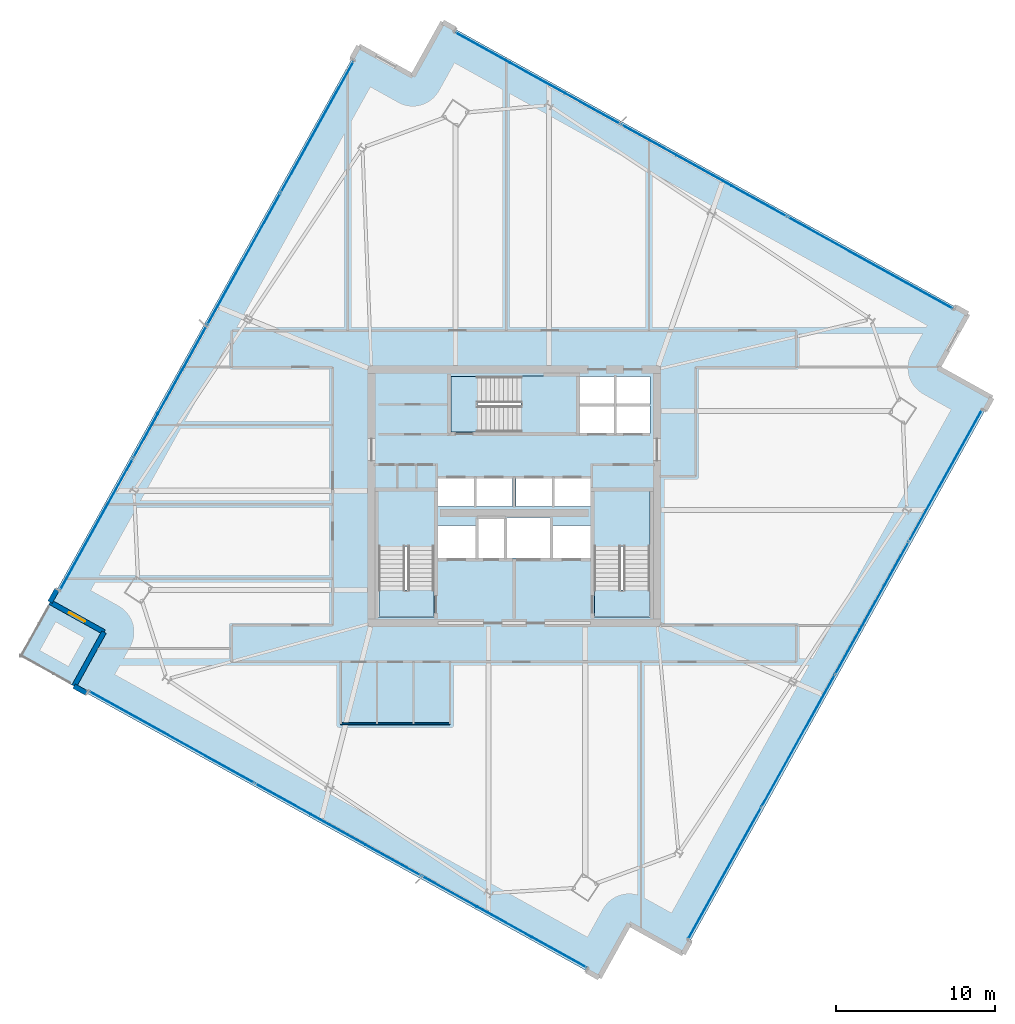
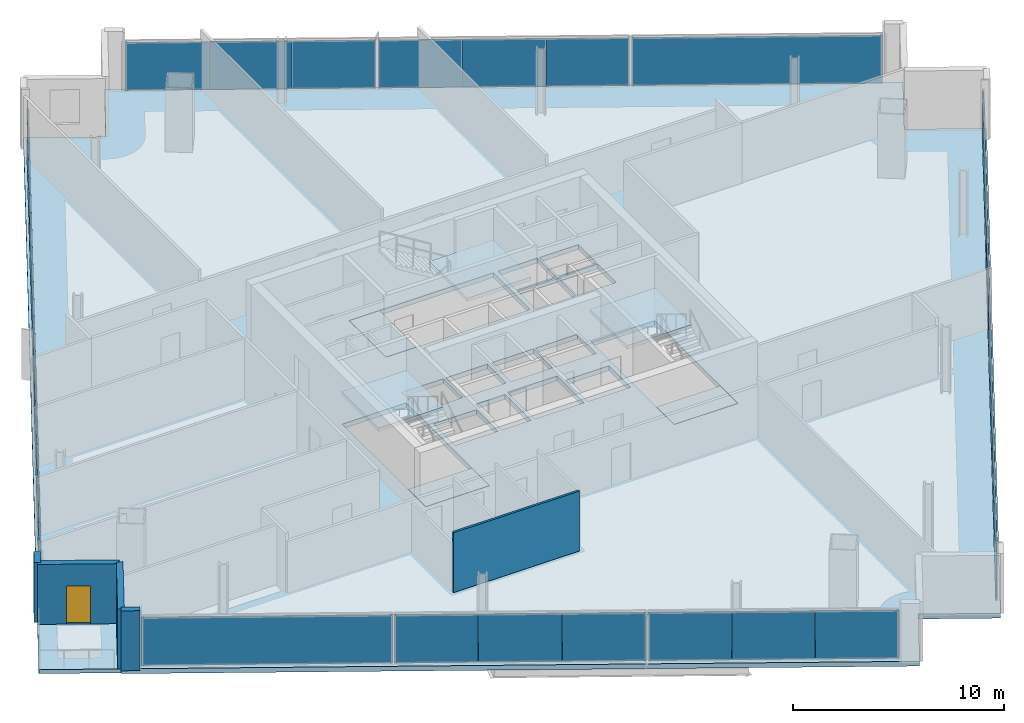
# One storey, part 19 of 28: 26 plates, 8 slabs, 5 walls, 1 door, 1 opening, 7 elements without a shape of their own.
"""IFC4 building model written with IfcOpenShell, lengths in metres."""

from ifc_helpers import new_model, si_unit, direction, frame, frame_2d, origin, origin_2d, place, context, subcontext, project, spatial, polyline, rectangle, outline, extrude, source, transform, mapped, material, layer, layer_set, type_object, element, fill, aggregate, save


model = new_model("IFC4")

# Units and contexts
model_context = context("Model", 3, precision=1e-05, world=origin(), true_north=direction((0.0, 1.0)))
body_context = subcontext(model_context, "Body", "Model", "MODEL_VIEW")
ifc_project = project(units=[si_unit("LENGTHUNIT", "METRE"), si_unit("AREAUNIT", "SQUARE_METRE"), si_unit("VOLUMEUNIT", "CUBIC_METRE"), si_unit("PLANEANGLEUNIT", "RADIAN"), si_unit("MASSUNIT", "GRAM", prefix="KILO")], contexts=[model_context])

# Site, building, storey
site_placement = place(None, origin())
site = spatial("IfcSite", under=ifc_project, at=site_placement, CompositionType="ELEMENT")
building_placement = place(site_placement, origin())
building = spatial("IfcBuilding", under=site, at=building_placement, Name="Haldenkirk Collegiate Tower", CompositionType="ELEMENT")
storey_placement = place(building_placement, frame((0.0, 0.0, 232.199951171875)))
storey = spatial("IfcBuildingStorey", under=building, at=storey_placement, Name="L58", CompositionType="ELEMENT", Elevation=232.199951171875)

# Slab
ifc_material_1 = material(Name="Concrete f'c 40 MPa", Category="concrete")
ifc_layer_1 = layer(ifc_material_1, 0.280029296875)
ifc_layer_set_1 = layer_set([ifc_layer_1], Name="Concrete f'c 40 MPa")
slab_type_1 = type_object("IfcSlabType", Name="SLB-FLR-280", PredefinedType="FLOOR", material=ifc_layer_set_1)
slab_1_placement = place(storey_placement, frame((0.0, 0.0, -0.280029296875)))
element("IfcSlab", 1, at=slab_1_placement, inside=storey, type_object=slab_type_1, Name="L58 composite structural floor slab", PredefinedType="FLOOR", context=body_context, shape_type="SweptSolid", body=[
    extrude(outline(polyline([(46.65478515625, -2.853515625), (66.12646484375, 32.20166015625), (62.717041015625, 34.095458984375), (64.610595703125, 37.5048828125), (31.50048828125, 55.895751953125), (29.606689453125, 52.486572265625), (26.197509765625, 54.380126953125), (6.72607421875, 19.324951171875), (10.13525390625, 17.43115234375), (8.24169921875, 14.021728515625), (41.351806640625, -4.369384765625), (43.24560546875, -0.9599609375), (46.65478515625, -2.853515625)]), holes=[polyline([(27.449951171875, 18.39990234375), (30.949951171875, 18.39990234375), (30.949951171875, 26.300048828125), (27.449951171875, 26.300048828125), (27.449951171875, 18.39990234375)]), polyline([(41.050048828125, 18.39990234375), (44.550048828125, 18.39990234375), (44.550048828125, 26.300048828125), (41.050048828125, 26.300048828125), (41.050048828125, 18.39990234375)]), polyline([(32.0, 30.050048828125), (39.89990234375, 30.050048828125), (39.89990234375, 33.550048828125), (32.0, 33.550048828125), (32.0, 30.050048828125)]), polyline([(33.75, 22.10009765625), (35.35009765625, 22.10009765625), (35.35009765625, 24.550048828125), (33.75, 24.550048828125), (33.75, 22.10009765625)]), polyline([(40.14990234375, 29.949951171875), (42.320068359375, 29.949951171875), (42.320068359375, 31.699951171875), (40.14990234375, 31.699951171875), (40.14990234375, 29.949951171875)]), polyline([(42.419921875, 29.949951171875), (44.550048828125, 29.949951171875), (44.550048828125, 31.699951171875), (42.419921875, 31.699951171875), (42.419921875, 29.949951171875)]), polyline([(40.14990234375, 31.800048828125), (42.320068359375, 31.800048828125), (42.320068359375, 33.550048828125), (40.14990234375, 33.550048828125), (40.14990234375, 31.800048828125)]), polyline([(42.419921875, 31.800048828125), (44.550048828125, 31.800048828125), (44.550048828125, 33.550048828125), (42.419921875, 33.550048828125), (42.419921875, 31.800048828125)]), polyline([(31.199951171875, 25.35009765625), (33.47998046875, 25.35009765625), (33.47998046875, 27.14990234375), (31.199951171875, 27.14990234375), (31.199951171875, 25.35009765625)]), polyline([(33.60009765625, 25.35009765625), (35.8798828125, 25.35009765625), (35.8798828125, 27.14990234375), (33.60009765625, 27.14990234375), (33.60009765625, 25.35009765625)]), polyline([(36.1201171875, 25.35009765625), (38.39990234375, 25.35009765625), (38.39990234375, 27.14990234375), (36.1201171875, 27.14990234375), (36.1201171875, 25.35009765625)]), polyline([(38.52001953125, 25.35009765625), (40.800048828125, 25.35009765625), (40.800048828125, 27.14990234375), (38.52001953125, 27.14990234375), (38.52001953125, 25.35009765625)]), polyline([(31.199951171875, 22.10009765625), (33.550048828125, 22.10009765625), (33.550048828125, 24.14990234375), (31.199951171875, 24.14990234375), (31.199951171875, 22.10009765625)]), polyline([(38.449951171875, 22.10009765625), (40.800048828125, 22.10009765625), (40.800048828125, 24.14990234375), (38.449951171875, 24.14990234375), (38.449951171875, 22.10009765625)]), polyline([(35.550048828125, 22.10009765625), (38.25, 22.10009765625), (38.25, 24.64990234375), (35.550048828125, 24.64990234375), (35.550048828125, 22.10009765625)])]), origin(), (0.0, 0.0, 1.0), 0.280029296875),
])

# Stair, slab
stair_type = type_object("IfcStairType", Name="STR-DOGLEG-1650", PredefinedType="HALF_TURN_STAIR", material=ifc_material_1)
stair_1_placement = place(storey_placement, origin())
stair_1 = element("IfcStair", 2, at=stair_1_placement, inside=storey, type_object=stair_type, Name="L58 Core Exit Stair ST-1", PredefinedType="HALF_TURN_STAIR")
ifc_layer_2 = layer(ifc_material_1, 0.199951171875)
ifc_layer_set_2 = layer_set([ifc_layer_2], Name="Concrete f'c 40 MPa")
slab_type_2 = type_object("IfcSlabType", Name="SLB-LANDING-200", PredefinedType="LANDING", material=ifc_layer_set_2)
slab_2_placement = place(storey_placement, frame((0.0, 0.0, 1.675048828125)))
slab_2 = element("IfcSlab", 3, at=slab_2_placement, type_object=slab_type_2, Name="ST-1 landing 1", PredefinedType="LANDING", context=body_context, shape_type="SweptSolid", body=[
    extrude(outline(polyline([(30.97509765625, 22.824951171875), (27.425048828125, 22.824951171875), (27.425048828125, 26.324951171875), (30.97509765625, 26.324951171875), (30.97509765625, 22.824951171875)])), origin(), (0.0, 0.0, 1.0), 0.199951171875),
])
aggregate(stair_1, [slab_2])

stair_2_placement = place(storey_placement, origin())
stair_2 = element("IfcStair", 4, at=stair_2_placement, inside=storey, type_object=stair_type, Name="L58 Core Exit Stair ST-2", PredefinedType="HALF_TURN_STAIR")
slab_3_placement = place(storey_placement, frame((0.0, 0.0, 1.675048828125)))
slab_3 = element("IfcSlab", 5, at=slab_3_placement, type_object=slab_type_2, Name="ST-2 landing 1", PredefinedType="LANDING", context=body_context, shape_type="SweptSolid", body=[
    extrude(outline(polyline([(44.574951171875, 22.824951171875), (41.02490234375, 22.824951171875), (41.02490234375, 26.324951171875), (44.574951171875, 26.324951171875), (44.574951171875, 22.824951171875)])), origin(), (0.0, 0.0, 1.0), 0.199951171875),
])
aggregate(stair_2, [slab_3])

stair_3_placement = place(storey_placement, origin())
stair_3 = element("IfcStair", 6, at=stair_3_placement, inside=storey, type_object=stair_type, Name="L58 Core Exit Stair ST-3", PredefinedType="HALF_TURN_STAIR")
slab_4_placement = place(storey_placement, frame((0.0, 0.0, 1.675048828125)))
slab_4 = element("IfcSlab", 7, at=slab_4_placement, type_object=slab_type_2, Name="ST-3 landing 1", PredefinedType="LANDING", context=body_context, shape_type="SweptSolid", body=[
    extrude(outline(polyline([(36.425048828125, 30.02490234375), (36.425048828125, 33.574951171875), (39.925048828125, 33.574951171875), (39.925048828125, 30.02490234375), (36.425048828125, 30.02490234375)])), origin(), (0.0, 0.0, 1.0), 0.199951171875),
])
aggregate(stair_3, [slab_4])

# Slabs
ifc_layer_3 = layer(ifc_material_1, 0.25)
ifc_layer_set_3 = layer_set([ifc_layer_3], Name="Concrete f'c 40 MPa")
slab_type_3 = type_object("IfcSlabType", Name="SLB-STAIRLAND-250", PredefinedType="LANDING", material=ifc_layer_set_3)
slab_5_placement = place(storey_placement, frame((0.0, 0.0, -0.25)))
element("IfcSlab", 8, at=slab_5_placement, inside=storey, type_object=slab_type_3, Name="L58 stair ST1 structural floor landing slab", PredefinedType="LANDING", context=body_context, shape_type="SweptSolid", body=[
    extrude(outline(polyline([(27.4599609375, 18.409912109375), (30.93994140625, 18.409912109375), (30.93994140625, 20.080078125), (27.4599609375, 20.080078125), (27.4599609375, 18.409912109375)])), origin(), (0.0, 0.0, 1.0), 0.25),
])
slab_6_placement = place(storey_placement, frame((0.0, 0.0, -0.25)))
element("IfcSlab", 9, at=slab_6_placement, inside=storey, type_object=slab_type_3, Name="L58 stair ST2 structural floor landing slab", PredefinedType="LANDING", context=body_context, shape_type="SweptSolid", body=[
    extrude(outline(polyline([(41.06005859375, 18.409912109375), (44.5400390625, 18.409912109375), (44.5400390625, 20.080078125), (41.06005859375, 20.080078125), (41.06005859375, 18.409912109375)])), origin(), (0.0, 0.0, 1.0), 0.25),
])
slab_7_placement = place(storey_placement, frame((0.0, 0.0, -0.25)))
element("IfcSlab", 10, at=slab_7_placement, inside=storey, type_object=slab_type_3, Name="L58 stair ST3 structural floor landing slab", PredefinedType="LANDING", context=body_context, shape_type="SweptSolid", body=[
    extrude(outline(polyline([(32.010009765625, 30.06005859375), (33.679931640625, 30.06005859375), (33.679931640625, 33.5400390625), (32.010009765625, 33.5400390625), (32.010009765625, 30.06005859375)])), origin(), (0.0, 0.0, 1.0), 0.25),
])
ifc_layer_4 = layer(ifc_material_1, 0.22998046875)
ifc_layer_set_4 = layer_set([ifc_layer_4], Name="Concrete f'c 40 MPa")
slab_type_4 = type_object("IfcSlabType", Name="SLB-TERR-SPIRAL-230", PredefinedType="FLOOR", material=ifc_layer_set_4)
slab_8_placement = place(storey_placement, frame((0.0, 0.0, -0.22998046875)))
element("IfcSlab", 11, at=slab_8_placement, inside=storey, type_object=slab_type_4, Name="L58 spiralling corner terrace slab", PredefinedType="FLOOR", context=body_context, shape_type="SweptSolid", body=[
    extrude(outline(polyline([(8.24169921875, 14.021728515625), (10.13525390625, 17.43115234375), (6.72607421875, 19.324951171875), (4.832275390625, 15.91552734375), (8.24169921875, 14.021728515625)])), origin(), (0.0, 0.0, 1.0), 0.22998046875),
])

# Curtain wall, plates
ifc_material_2 = material(Name="Anodised architectural bronze aluminium", Category="aluminium")
curtain_wall_type_1 = type_object("IfcCurtainWallType", Name="CW-SYS2-CONCAVE", PredefinedType="USERDEFINED", material=ifc_material_2)
curtain_wall_1_placement = place(storey_placement, origin())
curtain_wall_1 = element("IfcCurtainWall", 12, at=curtain_wall_1_placement, inside=storey, type_object=curtain_wall_type_1, Name="L58 South concave recessed bronze-anodised curtain wall", ObjectType="UNITISED CURTAIN WALL", PredefinedType="USERDEFINED")
ifc_material_3 = material(Name="Bronze-anodised insulated aluminium spandrel panel", Category="aluminium")
ifc_layer_5 = layer(ifc_material_3, 0.0419921875)
ifc_layer_set_5 = layer_set([ifc_layer_5], Name="Bronze-anodised insulated aluminium spandrel panel")
plate_type_1 = type_object("IfcPlateType", Name="CW-SPD-02", PredefinedType="CURTAIN_PANEL", material=ifc_layer_set_5)
shared_shape_1 = source(origin(), body_context, "Body", "SweptSolid", [
    extrude(rectangle(XDim=3.1416015625, YDim=0.0419921875, at=origin_2d()), origin(), (0.0, 0.0, 1.0), 2.778076171875),
])
plate_1_placement = place(storey_placement, frame((58.557861328125, 18.94677734375, 0.0751953125), z_axis=(0.0, 0.0, 1.0), x_axis=(-0.485574207111, -0.874195452624, 0.0)))
plate_1 = element("IfcPlate", 13, at=plate_1_placement, type_object=plate_type_1, Name="CW-02 spandrel panel 2.1b", PredefinedType="CURTAIN_PANEL", context=body_context, shape_type="MappedRepresentation", body=[
    mapped(shared_shape_1, transform((0.0, 0.0, 0.0), x_axis=(1.0, 0.0, 0.0), y_axis=(0.0, 1.0, 0.0), z_axis=(0.0, 0.0, 1.0), scale=1.0)),
])
shared_shape_2 = source(origin(), body_context, "Body", "SweptSolid", [
    extrude(rectangle(XDim=3.154296875, YDim=0.0419921875, at=origin_2d()), origin(), (0.0, 0.0, 1.0), 2.778076171875),
])
plate_2_placement = place(storey_placement, frame((60.0986328125, 21.720458984375, 0.0751953125), z_axis=(0.0, 0.0, 1.0), x_axis=(-0.485574207111, -0.874195452624, 0.0)))
plate_2 = element("IfcPlate", 14, at=plate_2_placement, type_object=plate_type_1, Name="CW-02 spandrel panel 2.1a", PredefinedType="CURTAIN_PANEL", context=body_context, shape_type="MappedRepresentation", body=[
    mapped(shared_shape_2, transform((0.0, 0.0, 0.0), x_axis=(1.0, 0.0, 0.0), y_axis=(0.0, 1.0, 0.0), z_axis=(0.0, 0.0, 1.0), scale=1.0)),
])
plate_3_placement = place(storey_placement, frame((57.017333984375, 16.1728515625, 0.0751953125), z_axis=(0.0, 0.0, 1.0), x_axis=(-0.485574207111, -0.874195452624, 0.0)))
plate_3 = element("IfcPlate", 15, at=plate_3_placement, type_object=plate_type_1, Name="CW-02 spandrel panel 2.1c", PredefinedType="CURTAIN_PANEL", context=body_context, shape_type="MappedRepresentation", body=[
    mapped(shared_shape_2, transform((0.0, 0.0, 0.0), x_axis=(1.0, 0.0, 0.0), y_axis=(0.0, 1.0, 0.0), z_axis=(0.0, 0.0, 1.0), scale=1.0)),
])
ifc_material_4 = material(Name="Low-E argon triple insulating glass", Category="glass")
ifc_layer_6 = layer(ifc_material_4, 0.0419921875)
ifc_layer_set_6 = layer_set([ifc_layer_6], Name="Low-E argon triple insulating glass")
plate_type_2 = type_object("IfcPlateType", Name="CW-PNL-02", PredefinedType="CURTAIN_PANEL", material=ifc_layer_set_6)
shared_shape_3 = source(origin(), body_context, "Body", "SweptSolid", [
    extrude(rectangle(XDim=9.46240234375, YDim=0.0419921875, at=origin_2d()), origin(), (0.0, 0.0, 1.0), 2.778076171875),
])
plate_4_placement = place(storey_placement, frame((63.1982421875, 27.30078125, 0.0751953125), z_axis=(0.0, 0.0, 1.0), x_axis=(-0.485574207111, -0.874195452624, 0.0)))
plate_4 = element("IfcPlate", 16, at=plate_4_placement, type_object=plate_type_2, Name="CW-02 panel 1.1", PredefinedType="CURTAIN_PANEL", context=body_context, shape_type="MappedRepresentation", body=[
    mapped(shared_shape_3, transform((0.0, 0.0, 0.0), x_axis=(1.0, 0.0, 0.0), y_axis=(0.0, 1.0, 0.0), z_axis=(0.0, 0.0, 1.0), scale=1.0)),
])
plate_5_placement = place(storey_placement, frame((49.268310546875, 2.22216796875, 0.0751953125), z_axis=(0.0, 0.0, 1.0), x_axis=(-0.485574207111, -0.874195452624, 0.0)))
plate_5 = element("IfcPlate", 17, at=plate_5_placement, type_object=plate_type_2, Name="CW-02 panel 4.1", PredefinedType="CURTAIN_PANEL", context=body_context, shape_type="MappedRepresentation", body=[
    mapped(shared_shape_3, transform((0.0, 0.0, 0.0), x_axis=(1.0, 0.0, 0.0), y_axis=(0.0, 1.0, 0.0), z_axis=(0.0, 0.0, 1.0), scale=1.0)),
])

curtain_wall_type_2 = type_object("IfcCurtainWallType", Name="CW-SYS1B-CONVEX-HI", PredefinedType="USERDEFINED", material=ifc_material_2)
curtain_wall_2_placement = place(storey_placement, origin())
curtain_wall_2 = element("IfcCurtainWall", 18, at=curtain_wall_2_placement, inside=storey, type_object=curtain_wall_type_2, Name="L58 Upper tower high-wind convex bronze unitised curtain wall", ObjectType="UNITISED CURTAIN WALL", PredefinedType="USERDEFINED")
ifc_layer_7 = layer(ifc_material_4, 0.048095703125)
ifc_layer_set_7 = layer_set([ifc_layer_7], Name="Low-E argon triple insulating glass")
plate_type_3 = type_object("IfcPlateType", Name="CW-PNL-1B", PredefinedType="CURTAIN_PANEL", material=ifc_layer_set_7)
shared_shape_4 = source(origin(), body_context, "Body", "SweptSolid", [
    extrude(rectangle(XDim=3.953369140625, YDim=0.048095703125, at=origin_2d()), origin(), (0.0, 0.0, 1.0), 2.758056640625),
])
plate_6_placement = place(storey_placement, frame((34.002197265625, 54.30029296875, 0.0849609375), z_axis=(0.0, 0.0, 1.0), x_axis=(0.874196499776, -0.485572321883, 0.0)))
plate_6 = element("IfcPlate", 19, at=plate_6_placement, type_object=plate_type_3, Name="CW-1B panel 1.1a", PredefinedType="CURTAIN_PANEL", context=body_context, shape_type="MappedRepresentation", body=[
    mapped(shared_shape_4, transform((0.0, 0.0, 0.0), x_axis=(1.0, 0.0, 0.0), y_axis=(0.0, 1.0, 0.0), z_axis=(0.0, 0.0, 1.0), scale=1.0)),
])
ifc_layer_8 = layer(ifc_material_3, 0.048095703125)
ifc_layer_set_8 = layer_set([ifc_layer_8], Name="Bronze-anodised insulated aluminium spandrel panel")
plate_type_4 = type_object("IfcPlateType", Name="CW-SPD-1B", PredefinedType="CURTAIN_PANEL", material=ifc_layer_set_8)
plate_7_placement = place(storey_placement, frame((40.947021484375, 50.44287109375, 0.0849609375), z_axis=(0.0, 0.0, 1.0), x_axis=(0.874196499776, -0.485572321883, 0.0)))
plate_7 = element("IfcPlate", 20, at=plate_7_placement, type_object=plate_type_4, Name="CW-1B spandrel panel 1.1c", PredefinedType="CURTAIN_PANEL", context=body_context, shape_type="MappedRepresentation", body=[
    mapped(shared_shape_4, transform((0.0, 0.0, 0.0), x_axis=(1.0, 0.0, 0.0), y_axis=(0.0, 1.0, 0.0), z_axis=(0.0, 0.0, 1.0), scale=1.0)),
])

curtain_wall_3_placement = place(storey_placement, origin())
curtain_wall_3 = element("IfcCurtainWall", 21, at=curtain_wall_3_placement, inside=storey, type_object=curtain_wall_type_2, Name="L58 Upper tower high-wind convex bronze unitised curtain wall", ObjectType="UNITISED CURTAIN WALL", PredefinedType="USERDEFINED")
plate_8_placement = place(storey_placement, frame((38.85009765625, -2.773681640625, 0.0849609375), z_axis=(0.0, 0.0, 1.0), x_axis=(-0.874195323094, 0.485574440308, 0.0)))
plate_8 = element("IfcPlate", 22, at=plate_8_placement, type_object=plate_type_3, Name="CW-1B panel 1.1a", PredefinedType="CURTAIN_PANEL", context=body_context, shape_type="MappedRepresentation", body=[
    mapped(shared_shape_4, transform((0.0, 0.0, 0.0), x_axis=(1.0, 0.0, 0.0), y_axis=(0.0, 1.0, 0.0), z_axis=(0.0, 0.0, 1.0), scale=1.0)),
])
plate_9_placement = place(storey_placement, frame((31.9052734375, 1.083740234375, 0.0849609375), z_axis=(0.0, 0.0, 1.0), x_axis=(-0.874195323094, 0.485574440308, 0.0)))
plate_9 = element("IfcPlate", 23, at=plate_9_placement, type_object=plate_type_4, Name="CW-1B spandrel panel 1.1c", PredefinedType="CURTAIN_PANEL", context=body_context, shape_type="MappedRepresentation", body=[
    mapped(shared_shape_4, transform((0.0, 0.0, 0.0), x_axis=(1.0, 0.0, 0.0), y_axis=(0.0, 1.0, 0.0), z_axis=(0.0, 0.0, 1.0), scale=1.0)),
])

# Plate
shared_shape_5 = source(origin(), body_context, "Body", "SweptSolid", [
    extrude(rectangle(XDim=3.94091796875, YDim=0.048095703125, at=origin_2d()), origin(), (0.0, 0.0, 1.0), 2.758056640625),
])
plate_10_placement = place(storey_placement, frame((37.474609375, 52.37158203125, 0.0849609375), z_axis=(0.0, 0.0, 1.0), x_axis=(0.874196499776, -0.485572321883, 0.0)))
plate_10 = element("IfcPlate", 24, at=plate_10_placement, type_object=plate_type_3, Name="CW-1B panel 1.1b", PredefinedType="CURTAIN_PANEL", context=body_context, shape_type="MappedRepresentation", body=[
    mapped(shared_shape_5, transform((0.0, 0.0, 0.0), x_axis=(1.0, 0.0, 0.0), y_axis=(0.0, 1.0, 0.0), z_axis=(0.0, 0.0, 1.0), scale=1.0)),
])

plate_11_placement = place(storey_placement, frame((35.377685546875, -0.84521484375, 0.0849609375), z_axis=(0.0, 0.0, 1.0), x_axis=(-0.874195323094, 0.485574440308, 0.0)))
plate_11 = element("IfcPlate", 25, at=plate_11_placement, type_object=plate_type_3, Name="CW-1B panel 1.1b", PredefinedType="CURTAIN_PANEL", context=body_context, shape_type="MappedRepresentation", body=[
    mapped(shared_shape_5, transform((0.0, 0.0, 0.0), x_axis=(1.0, 0.0, 0.0), y_axis=(0.0, 1.0, 0.0), z_axis=(0.0, 0.0, 1.0), scale=1.0)),
])

shared_shape_6 = source(origin(), body_context, "Body", "SweptSolid", [
    extrude(rectangle(XDim=3.967529296875, YDim=0.048095703125, at=origin_2d()), origin(), (0.0, 0.0, 1.0), 2.758056640625),
])
plate_12_placement = place(storey_placement, frame((44.4833984375, 48.478515625, 0.0849609375), z_axis=(0.0, 0.0, 1.0), x_axis=(0.874196499776, -0.485572321883, 0.0)))
plate_12 = element("IfcPlate", 26, at=plate_12_placement, type_object=plate_type_4, Name="CW-1B spandrel panel 2.1a", PredefinedType="CURTAIN_PANEL", context=body_context, shape_type="MappedRepresentation", body=[
    mapped(shared_shape_6, transform((0.0, 0.0, 0.0), x_axis=(1.0, 0.0, 0.0), y_axis=(0.0, 1.0, 0.0), z_axis=(0.0, 0.0, 1.0), scale=1.0)),
])

plate_13_placement = place(storey_placement, frame((51.452880859375, 44.607421875, 0.0849609375), z_axis=(0.0, 0.0, 1.0), x_axis=(0.874196499776, -0.485572321883, 0.0)))
plate_13 = element("IfcPlate", 27, at=plate_13_placement, type_object=plate_type_3, Name="CW-1B panel 2.1c", PredefinedType="CURTAIN_PANEL", context=body_context, shape_type="MappedRepresentation", body=[
    mapped(shared_shape_6, transform((0.0, 0.0, 0.0), x_axis=(1.0, 0.0, 0.0), y_axis=(0.0, 1.0, 0.0), z_axis=(0.0, 0.0, 1.0), scale=1.0)),
])

plate_14_placement = place(storey_placement, frame((28.368896484375, 3.048095703125, 0.0849609375), z_axis=(0.0, 0.0, 1.0), x_axis=(-0.874195323094, 0.485574440308, 0.0)))
plate_14 = element("IfcPlate", 28, at=plate_14_placement, type_object=plate_type_4, Name="CW-1B spandrel panel 2.1a", PredefinedType="CURTAIN_PANEL", context=body_context, shape_type="MappedRepresentation", body=[
    mapped(shared_shape_6, transform((0.0, 0.0, 0.0), x_axis=(1.0, 0.0, 0.0), y_axis=(0.0, 1.0, 0.0), z_axis=(0.0, 0.0, 1.0), scale=1.0)),
])

plate_15_placement = place(storey_placement, frame((21.3994140625, 6.919189453125, 0.0849609375), z_axis=(0.0, 0.0, 1.0), x_axis=(-0.874195323094, 0.485574440308, 0.0)))
plate_15 = element("IfcPlate", 29, at=plate_15_placement, type_object=plate_type_3, Name="CW-1B panel 2.1c", PredefinedType="CURTAIN_PANEL", context=body_context, shape_type="MappedRepresentation", body=[
    mapped(shared_shape_6, transform((0.0, 0.0, 0.0), x_axis=(1.0, 0.0, 0.0), y_axis=(0.0, 1.0, 0.0), z_axis=(0.0, 0.0, 1.0), scale=1.0)),
])

shared_shape_7 = source(origin(), body_context, "Body", "SweptSolid", [
    extrude(rectangle(XDim=3.955078125, YDim=0.048095703125, at=origin_2d()), origin(), (0.0, 0.0, 1.0), 2.758056640625),
])
plate_16_placement = place(storey_placement, frame((47.96826171875, 46.54296875, 0.0849609375), z_axis=(0.0, 0.0, 1.0), x_axis=(0.874196499776, -0.485572321883, 0.0)))
plate_16 = element("IfcPlate", 30, at=plate_16_placement, type_object=plate_type_4, Name="CW-1B spandrel panel 2.1b", PredefinedType="CURTAIN_PANEL", context=body_context, shape_type="MappedRepresentation", body=[
    mapped(shared_shape_7, transform((0.0, 0.0, 0.0), x_axis=(1.0, 0.0, 0.0), y_axis=(0.0, 1.0, 0.0), z_axis=(0.0, 0.0, 1.0), scale=1.0)),
])

plate_17_placement = place(storey_placement, frame((24.884033203125, 4.983642578125, 0.0849609375), z_axis=(0.0, 0.0, 1.0), x_axis=(-0.874195323094, 0.485574440308, 0.0)))
plate_17 = element("IfcPlate", 31, at=plate_17_placement, type_object=plate_type_4, Name="CW-1B spandrel panel 2.1b", PredefinedType="CURTAIN_PANEL", context=body_context, shape_type="MappedRepresentation", body=[
    mapped(shared_shape_7, transform((0.0, 0.0, 0.0), x_axis=(1.0, 0.0, 0.0), y_axis=(0.0, 1.0, 0.0), z_axis=(0.0, 0.0, 1.0), scale=1.0)),
])

# Curtain wall, plates
curtain_wall_4_placement = place(storey_placement, origin())
curtain_wall_4 = element("IfcCurtainWall", 32, at=curtain_wall_4_placement, inside=storey, type_object=curtain_wall_type_2, Name="L58 Upper tower high-wind convex bronze unitised curtain wall", ObjectType="UNITISED CURTAIN WALL", PredefinedType="USERDEFINED")
shared_shape_8 = source(origin(), body_context, "Body", "SweptSolid", [
    extrude(rectangle(XDim=3.15087890625, YDim=0.048095703125, at=origin_2d()), origin(), (0.0, 0.0, 1.0), 2.758056640625),
])
plate_18_placement = place(storey_placement, frame((12.75537109375, 29.80908203125, 0.0849609375), z_axis=(0.0, 0.0, 1.0), x_axis=(0.485572211753, 0.874196560948, 0.0)))
plate_18 = element("IfcPlate", 33, at=plate_18_placement, type_object=plate_type_4, Name="CW-1B spandrel panel 2.1a", PredefinedType="CURTAIN_PANEL", context=body_context, shape_type="MappedRepresentation", body=[
    mapped(shared_shape_8, transform((0.0, 0.0, 0.0), x_axis=(1.0, 0.0, 0.0), y_axis=(0.0, 1.0, 0.0), z_axis=(0.0, 0.0, 1.0), scale=1.0)),
])
plate_19_placement = place(storey_placement, frame((15.83349609375, 35.350830078125, 0.0849609375), z_axis=(0.0, 0.0, 1.0), x_axis=(0.485572211753, 0.874196560948, 0.0)))
plate_19 = element("IfcPlate", 34, at=plate_19_placement, type_object=plate_type_4, Name="CW-1B spandrel panel 2.1c", PredefinedType="CURTAIN_PANEL", context=body_context, shape_type="MappedRepresentation", body=[
    mapped(shared_shape_8, transform((0.0, 0.0, 0.0), x_axis=(1.0, 0.0, 0.0), y_axis=(0.0, 1.0, 0.0), z_axis=(0.0, 0.0, 1.0), scale=1.0)),
])
shared_shape_9 = source(origin(), body_context, "Body", "SweptSolid", [
    extrude(rectangle(XDim=3.13818359375, YDim=0.048095703125, at=origin_2d()), origin(), (0.0, 0.0, 1.0), 2.758056640625),
])
plate_20_placement = place(storey_placement, frame((14.29443359375, 32.579833984375, 0.0849609375), z_axis=(0.0, 0.0, 1.0), x_axis=(0.485572211753, 0.874196560948, 0.0)))
plate_20 = element("IfcPlate", 35, at=plate_20_placement, type_object=plate_type_4, Name="CW-1B spandrel panel 2.1b", PredefinedType="CURTAIN_PANEL", context=body_context, shape_type="MappedRepresentation", body=[
    mapped(shared_shape_9, transform((0.0, 0.0, 0.0), x_axis=(1.0, 0.0, 0.0), y_axis=(0.0, 1.0, 0.0), z_axis=(0.0, 0.0, 1.0), scale=1.0)),
])
shared_shape_10 = source(origin(), body_context, "Body", "SweptSolid", [
    extrude(rectangle(XDim=9.489990234375, YDim=0.048095703125, at=origin_2d()), origin(), (0.0, 0.0, 1.0), 2.758056640625),
])
plate_21_placement = place(storey_placement, frame((18.94384765625, 40.950439453125, 0.0849609375), z_axis=(0.0, 0.0, 1.0), x_axis=(0.485572211753, 0.874196560948, 0.0)))
plate_21 = element("IfcPlate", 36, at=plate_21_placement, type_object=plate_type_3, Name="CW-1B panel 3.1", PredefinedType="CURTAIN_PANEL", context=body_context, shape_type="MappedRepresentation", body=[
    mapped(shared_shape_10, transform((0.0, 0.0, 0.0), x_axis=(1.0, 0.0, 0.0), y_axis=(0.0, 1.0, 0.0), z_axis=(0.0, 0.0, 1.0), scale=1.0)),
])
shared_shape_11 = source(origin(), body_context, "Body", "SweptSolid", [
    extrude(rectangle(XDim=9.447509765625, YDim=0.048095703125, at=origin_2d()), origin(), (0.0, 0.0, 1.0), 2.758056640625),
])
plate_22_placement = place(storey_placement, frame((9.6552734375, 24.22802734375, 0.0849609375), z_axis=(0.0, 0.0, 1.0), x_axis=(0.485572211753, 0.874196560948, 0.0)))
plate_22 = element("IfcPlate", 37, at=plate_22_placement, type_object=plate_type_3, Name="CW-1B panel 1.1", PredefinedType="CURTAIN_PANEL", context=body_context, shape_type="MappedRepresentation", body=[
    mapped(shared_shape_11, transform((0.0, 0.0, 0.0), x_axis=(1.0, 0.0, 0.0), y_axis=(0.0, 1.0, 0.0), z_axis=(0.0, 0.0, 1.0), scale=1.0)),
])
plate_23_placement = place(storey_placement, frame((23.582763671875, 49.30224609375, 0.0849609375), z_axis=(0.0, 0.0, 1.0), x_axis=(0.485572211753, 0.874196560948, 0.0)))
plate_23 = element("IfcPlate", 38, at=plate_23_placement, type_object=plate_type_3, Name="CW-1B panel 4.1", PredefinedType="CURTAIN_PANEL", context=body_context, shape_type="MappedRepresentation", body=[
    mapped(shared_shape_11, transform((0.0, 0.0, 0.0), x_axis=(1.0, 0.0, 0.0), y_axis=(0.0, 1.0, 0.0), z_axis=(0.0, 0.0, 1.0), scale=1.0)),
])
aggregate(curtain_wall_4, [plate_22, plate_18, plate_20, plate_19, plate_21, plate_23])

# Plate
shared_shape_12 = source(origin(), body_context, "Body", "SweptSolid", [
    extrude(rectangle(XDim=11.8974609375, YDim=0.048095703125, at=origin_2d()), origin(), (0.0, 0.0, 1.0), 2.758056640625),
])
plate_24_placement = place(storey_placement, frame((58.4619140625, 40.714111328125, 0.0849609375), z_axis=(0.0, 0.0, 1.0), x_axis=(0.874196499776, -0.485572321883, 0.0)))
plate_24 = element("IfcPlate", 39, at=plate_24_placement, type_object=plate_type_3, Name="CW-1B panel 3.1", PredefinedType="CURTAIN_PANEL", context=body_context, shape_type="MappedRepresentation", body=[
    mapped(shared_shape_12, transform((0.0, 0.0, 0.0), x_axis=(1.0, 0.0, 0.0), y_axis=(0.0, 1.0, 0.0), z_axis=(0.0, 0.0, 1.0), scale=1.0)),
])

aggregate(curtain_wall_2, [plate_6, plate_10, plate_7, plate_12, plate_16, plate_13, plate_24])

plate_25_placement = place(storey_placement, frame((14.390380859375, 10.812255859375, 0.0849609375), z_axis=(0.0, 0.0, 1.0), x_axis=(-0.874195323094, 0.485574440308, 0.0)))
plate_25 = element("IfcPlate", 40, at=plate_25_placement, type_object=plate_type_3, Name="CW-1B panel 3.1", PredefinedType="CURTAIN_PANEL", context=body_context, shape_type="MappedRepresentation", body=[
    mapped(shared_shape_12, transform((0.0, 0.0, 0.0), x_axis=(1.0, 0.0, 0.0), y_axis=(0.0, 1.0, 0.0), z_axis=(0.0, 0.0, 1.0), scale=1.0)),
])

aggregate(curtain_wall_3, [plate_8, plate_11, plate_9, plate_14, plate_17, plate_15, plate_25])

shared_shape_13 = source(origin(), body_context, "Body", "SweptSolid", [
    extrude(rectangle(XDim=9.5, YDim=0.0419921875, at=origin_2d()), origin(), (0.0, 0.0, 1.0), 2.778076171875),
])
plate_26_placement = place(storey_placement, frame((53.908447265625, 10.576171875, 0.0751953125), z_axis=(0.0, 0.0, 1.0), x_axis=(-0.485574207111, -0.874195452624, 0.0)))
plate_26 = element("IfcPlate", 41, at=plate_26_placement, type_object=plate_type_2, Name="CW-02 panel 3.1", PredefinedType="CURTAIN_PANEL", context=body_context, shape_type="MappedRepresentation", body=[
    mapped(shared_shape_13, transform((0.0, 0.0, 0.0), x_axis=(1.0, 0.0, 0.0), y_axis=(0.0, 1.0, 0.0), z_axis=(0.0, 0.0, 1.0), scale=1.0)),
])

aggregate(curtain_wall_1, [plate_4, plate_2, plate_1, plate_3, plate_26, plate_5])

# Wall
ifc_material_5 = material(Name="Precast concrete f'c 40 MPa", Category="concrete")
ifc_layer_9 = layer(ifc_material_5, 0.320068359375)
ifc_layer_set_9 = layer_set([ifc_layer_9], Name="Precast concrete f'c 40 MPa")
wall_type_1 = type_object("IfcWallType", Name="WL-EXT-TWR-320", PredefinedType="STANDARD", material=ifc_layer_set_9)
wall_1_placement = place(storey_placement, frame((6.72607421875, 19.324951171875, 0.0), z_axis=(0.0, 0.0, 1.0), x_axis=(0.485527775969, 0.874221241313, 0.0)))
element("IfcWall", 42, at=wall_1_placement, inside=storey, type_object=wall_type_1, Name="L58 precast corner pier NL", PredefinedType="STANDARD", context=body_context, shape_type="SweptSolid", body=[
    extrude(rectangle(XDim=0.900146484375, YDim=0.320068359375, at=frame_2d((0.4501953125, 0.0))), origin(), (0.0, 0.0, 1.0), 3.469970703125),
])

# Wall, opening, door
wall_2_placement = place(storey_placement, frame((10.13525390625, 17.43115234375, 0.0), z_axis=(0.0, 0.0, 1.0), x_axis=(-0.874177945887, 0.485605723736, 0.0)))
wall_2 = element("IfcWall", 43, at=wall_2_placement, inside=storey, type_object=wall_type_1, Name="L58 bronze precast notch wall 08", PredefinedType="STANDARD", context=body_context, shape_type="SweptSolid", body=[
    extrude(rectangle(XDim=3.89990234375, YDim=0.320068359375, at=frame_2d((1.949951171875, 0.0))), origin(), (0.0, 0.0, 1.0), 3.469970703125),
])
opening_placement = place(wall_2_placement, frame((1.375, 0.0, 0.0)))
opening = element("IfcOpeningElement", 44, at=opening_placement, cuts=wall_2, Name="Opening D-ST11", PredefinedType="OPENING", context=body_context, shape_type="SweptSolid", body=[
    extrude(rectangle(XDim=1.14990234375, YDim=2.199951171875, at=frame_2d((0.574951171875, 1.10009765625))), frame((0.0, 0.169921875, 0.0), z_axis=(0.0, -1.0, 0.0), x_axis=(1.0, 0.0, 0.0)), (0.0, 0.0, 1.0), 0.340087890625),
])
ifc_layer_10 = layer(ifc_material_2, 0.080078125)
ifc_layer_set_10 = layer_set([ifc_layer_10], Name="Anodised architectural bronze aluminium")
door_type = type_object("IfcDoorType", Name="DR-EXT-STER-1150", OperationType="NOTDEFINED", PredefinedType="DOOR", material=ifc_layer_set_10)
door_placement = place(opening_placement, origin())
door = element("IfcDoor", 45, at=door_placement, inside=storey, type_object=door_type, Name="L58 spiralling terrace door", OperationType="SINGLE_SWING_LEFT", OverallHeight=2.199951171875, OverallWidth=1.14990234375, PredefinedType="DOOR", context=body_context, shape_type="SweptSolid", body=[
    extrude(rectangle(XDim=1.14990234375, YDim=2.199951171875, at=frame_2d((0.574951171875, 1.10009765625))), frame((0.0, 0.02490234375, 0.0), z_axis=(0.0, -1.0, 0.0), x_axis=(1.0, 0.0, 0.0)), (0.0, 0.0, 1.0), 0.050048828125),
])
fill(opening, door)

# Walls
wall_3_placement = place(storey_placement, frame((8.24169921875, 14.021728515625, 0.0), z_axis=(0.0, 0.0, 1.0), x_axis=(0.485531308926, 0.874219279159, 0.0)))
element("IfcWall", 46, at=wall_3_placement, inside=storey, type_object=wall_type_1, Name="L58 bronze precast notch wall 09", PredefinedType="STANDARD", context=body_context, shape_type="SweptSolid", body=[
    extrude(rectangle(XDim=3.89990234375, YDim=0.320068359375, at=frame_2d((1.949951171875, 0.0))), origin(), (0.0, 0.0, 1.0), 3.469970703125),
])
wall_4_placement = place(storey_placement, frame((9.0283203125, 13.584716796875, 0.0), z_axis=(0.0, 0.0, 1.0), x_axis=(-0.874157276122, 0.485642931179, 0.0)))
element("IfcWall", 47, at=wall_4_placement, inside=storey, type_object=wall_type_1, Name="L58 precast corner pier WR", PredefinedType="STANDARD", context=body_context, shape_type="SweptSolid", body=[
    extrude(rectangle(XDim=0.89990234375, YDim=0.320068359375, at=frame_2d((0.449951171875, 0.0))), origin(), (0.0, 0.0, 1.0), 3.469970703125),
])
ifc_material_6 = material(Name="Acoustic fire-rated gypsum partition", Category="concrete")
ifc_layer_11 = layer(ifc_material_6, 0.1201171875)
ifc_layer_set_11 = layer_set([ifc_layer_11], Name="Acoustic fire-rated gypsum partition")
wall_type_2 = type_object("IfcWallType", Name="WL-INT-WET-120", PredefinedType="PARTITIONING", material=ifc_layer_set_11)
wall_5_placement = place(storey_placement, frame((25.050048828125, 11.64990234375, 0.0), z_axis=(0.0, 0.0, 1.0), x_axis=(1.0, 0.0, 0.0)))
element("IfcWall", 48, at=wall_5_placement, inside=storey, type_object=wall_type_2, Name="L58 interior partition IW-L58-WCB", PredefinedType="PARTITIONING", context=body_context, shape_type="SweptSolid", body=[
    extrude(rectangle(XDim=6.89990234375, YDim=0.1201171875, at=frame_2d((3.449951171875, 0.0))), origin(), (0.0, 0.0, 1.0), 3.469970703125),
])

save(model, "model.ifc")
